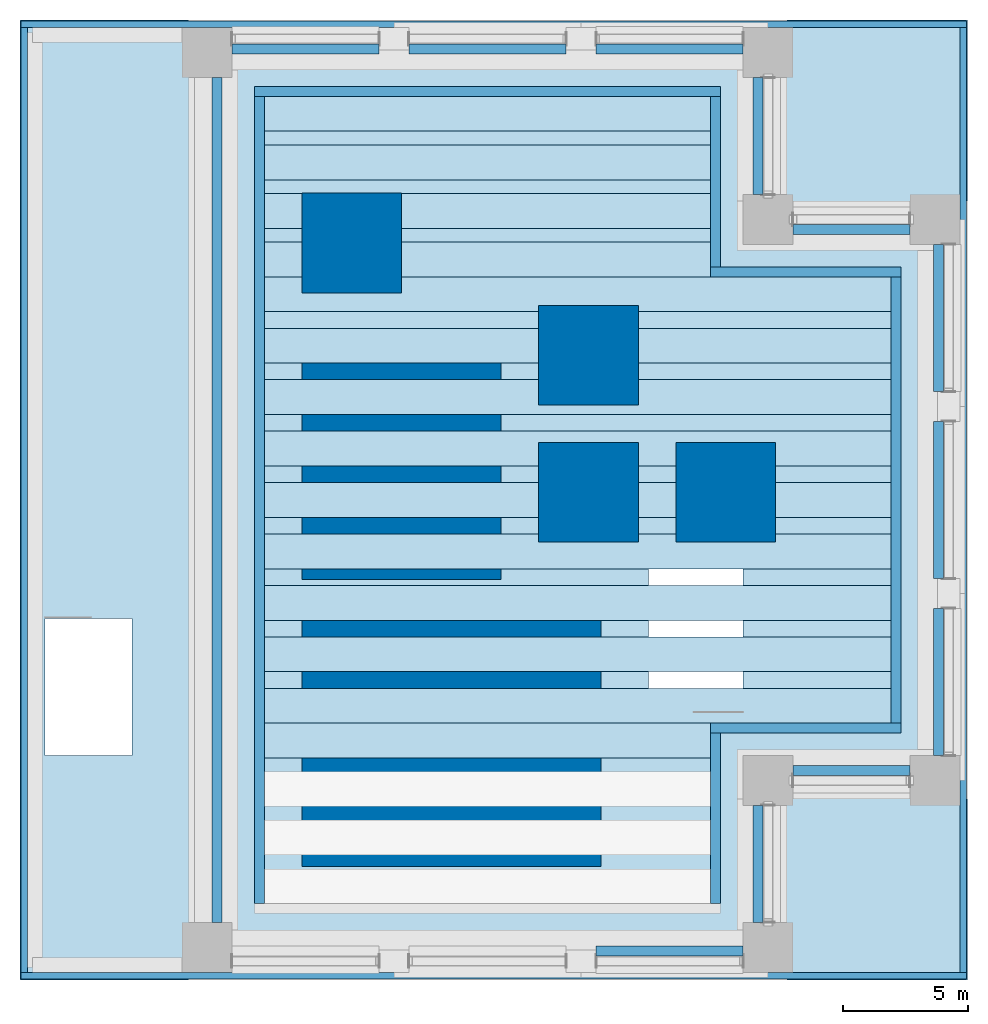
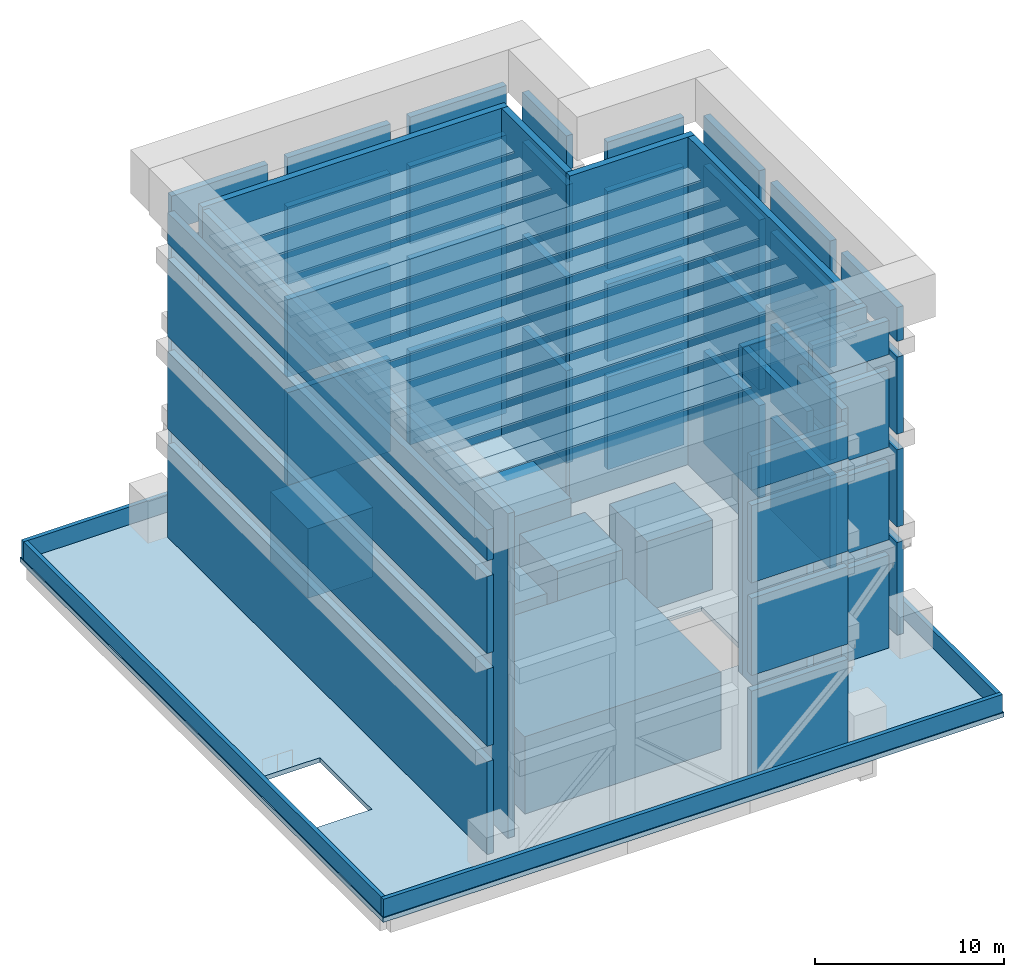
# One storey, part 2 of 4: 69 plates, 10 walls, 1 slab.
"""IFC4 building model written with IfcOpenShell, lengths in metres."""

from ifc_helpers import new_model, si_unit, direction, frame, frame_2d, origin, origin_2d, place, context, subcontext, project, spatial, polyline, rectangle, outline, extrude, material, layer, layer_set, type_object, element, save


model = new_model("IFC4")

# Units and contexts
model_context = context("Model", 3, precision=1e-05, world=origin(), true_north=direction((0.0, 1.0)))
body_context = subcontext(model_context, "Body", "Model", "MODEL_VIEW")
ifc_project = project(units=[si_unit("LENGTHUNIT", "METRE"), si_unit("AREAUNIT", "SQUARE_METRE"), si_unit("VOLUMEUNIT", "CUBIC_METRE"), si_unit("PLANEANGLEUNIT", "RADIAN"), si_unit("MASSUNIT", "GRAM", prefix="KILO")], contexts=[model_context])

# Site, building, storey
site_placement = place(None, origin())
site = spatial("IfcSite", under=ifc_project, at=site_placement, CompositionType="ELEMENT")
building_placement = place(site_placement, origin())
building = spatial("IfcBuilding", under=site, at=building_placement, Name="Tamorin Gate", CompositionType="ELEMENT")
storey_placement = place(building_placement, frame((0.0, 0.0, 328.199951171875)))
storey = spatial("IfcBuildingStorey", under=building, at=storey_placement, Name="ROOF", CompositionType="ELEMENT", Elevation=328.199951171875)

# Plates
ifc_material_1 = material(Name="Perforated pale aluminium sheet", Category="aluminium")
ifc_layer_1 = layer(ifc_material_1, 0.1201171875)
ifc_layer_set_1 = layer_set([ifc_layer_1], Name="Crown grille 120")
plate_type_1 = type_object("IfcPlateType", Name="Crown grille 120", PredefinedType="SHEET", material=ifc_layer_set_1)
plate_1_placement = place(storey_placement, frame((48.75, 61.60009765625, 19.139892578125), z_axis=(0.0, 0.0, 1.0), x_axis=(1.0, 0.0, 0.0)))
element("IfcPlate", 1, at=plate_1_placement, inside=storey, type_object=plate_type_1, Name="CROWN GRILLE", PredefinedType="SHEET", context=body_context, shape_type="SweptSolid", body=[
    extrude(rectangle(XDim=17.89990234375, YDim=1.39990234375, at=origin_2d()), origin(), (0.0, 0.0, 1.0), 0.1201171875),
])
for number, where, z_axis, x_axis, name in (
    (2, (52.3701171875, 63.0, 19.139892578125), (0.0, 0.0, 1.0), (1.0, 0.0, 0.0), "CROWN GRILLE"),
    (3, (52.3701171875, 65.0625, 19.139892578125), (0.0, 0.0, 1.0), (1.0, 0.0, 0.0), "CROWN GRILLE"),
    (4, (52.3701171875, 67.125, 19.139892578125), (0.0, 0.0, 1.0), (1.0, 0.0, 0.0), "CROWN GRILLE"),
    (5, (52.3701171875, 69.1875, 19.139892578125), (0.0, 0.0, 1.0), (1.0, 0.0, 0.0), "CROWN GRILLE"),
    (6, (52.3701171875, 71.25, 19.139892578125), (0.0, 0.0, 1.0), (1.0, 0.0, 0.0), "CROWN GRILLE"),
    (7, (52.3701171875, 73.3125, 19.139892578125), (0.0, 0.0, 1.0), (1.0, 0.0, 0.0), "CROWN GRILLE"),
    (8, (52.3701171875, 75.375, 19.139892578125), (0.0, 0.0, 1.0), (1.0, 0.0, 0.0), "CROWN GRILLE"),
    (9, (52.3701171875, 77.4375, 19.139892578125), (0.0, 0.0, 1.0), (1.0, 0.0, 0.0), "CROWN GRILLE"),
    (10, (52.3701171875, 79.5, 19.139892578125), (0.0, 0.0, 1.0), (1.0, 0.0, 0.0), "CROWN GRILLE"),
):
    element("IfcPlate", number, at=place(storey_placement, frame(where, z_axis=z_axis, x_axis=x_axis)), inside=storey, type_object=plate_type_1, Name=name, PredefinedType="SHEET", context=body_context, shape_type="SweptSolid", body=[
        extrude(rectangle(XDim=25.139892578125, YDim=1.39990234375, at=origin_2d()), origin(), (0.0, 0.0, 1.0), 0.1201171875),
    ])
for number, where, z_axis, x_axis, name in (
    (11, (48.75, 80.89990234375, 19.139892578125), (0.0, 0.0, 1.0), (1.0, 0.0, 0.0), "CROWN GRILLE"),
    (12, (48.75, 82.8466796875, 19.139892578125), (0.0, 0.0, 1.0), (1.0, 0.0, 0.0), "CROWN GRILLE"),
    (13, (48.75, 84.793212890625, 19.139892578125), (0.0, 0.0, 1.0), (1.0, 0.0, 0.0), "CROWN GRILLE"),
    (14, (48.75, 86.739990234375, 19.139892578125), (0.0, 0.0, 1.0), (1.0, 0.0, 0.0), "CROWN GRILLE"),
):
    element("IfcPlate", number, at=place(storey_placement, frame(where, z_axis=z_axis, x_axis=x_axis)), inside=storey, type_object=plate_type_1, Name=name, PredefinedType="SHEET", context=body_context, shape_type="SweptSolid", body=[
        extrude(rectangle(XDim=17.89990234375, YDim=1.39990234375, at=origin_2d()), origin(), (0.0, 0.0, 1.0), 0.1201171875),
    ])
ifc_layer_2 = layer(ifc_material_1, 0.39990234375)
ifc_layer_set_2 = layer_set([ifc_layer_2], Name="Crown louvre 400")
plate_type_2 = type_object("IfcPlateType", Name="Crown louvre 400", PredefinedType="SHEET", material=ifc_layer_set_2)
plate_2_placement = place(storey_placement, frame((56.050048828125, 53.159912109375, 0.0), z_axis=(0.0, 0.0, 1.0), x_axis=(1.0, 0.0, 0.0)))
element("IfcPlate", 15, at=plate_2_placement, inside=storey, type_object=plate_type_2, Name="Crown LOUVRE", PredefinedType="SHEET", context=body_context, shape_type="SweptSolid", body=[
    extrude(rectangle(XDim=5.89990234375, YDim=0.39990234375, at=origin_2d()), origin(), (0.0, 0.0, 1.0), 6.0),
])
for number, where, z_axis, x_axis, name in (
    (16, (56.050048828125, 53.159912109375, 7.0), (0.0, 0.0, 1.0), (1.0, 0.0, 0.0), "Crown LOUVRE"),
    (17, (56.050048828125, 53.159912109375, 13.0), (0.0, 0.0, 1.0), (1.0, 0.0, 0.0), "Crown LOUVRE"),
):
    element("IfcPlate", number, at=place(storey_placement, frame(where, z_axis=z_axis, x_axis=x_axis)), inside=storey, type_object=plate_type_2, Name=name, PredefinedType="SHEET", context=body_context, shape_type="SweptSolid", body=[
        extrude(rectangle(XDim=5.89990234375, YDim=0.39990234375, at=origin_2d()), origin(), (0.0, 0.0, 1.0), 5.0),
    ])
plate_3_placement = place(storey_placement, frame((56.050048828125, 53.159912109375, 19.0), z_axis=(0.0, 0.0, 1.0), x_axis=(1.0, 0.0, 0.0)))
element("IfcPlate", 18, at=plate_3_placement, inside=storey, type_object=plate_type_2, Name="Crown LOUVRE", PredefinedType="SHEET", context=body_context, shape_type="SweptSolid", body=[
    extrude(rectangle(XDim=5.89990234375, YDim=0.39990234375, at=origin_2d()), origin(), (0.0, 0.0, 1.0), 2.199951171875),
])
plate_4_placement = place(storey_placement, frame((59.60009765625, 56.655029296875, 0.0), z_axis=(0.0, 0.0, 1.0), x_axis=(0.0, 1.0, 0.0)))
element("IfcPlate", 19, at=plate_4_placement, inside=storey, type_object=plate_type_2, Name="Crown LOUVRE", PredefinedType="SHEET", context=body_context, shape_type="SweptSolid", body=[
    extrude(rectangle(XDim=4.68994140625, YDim=0.39990234375, at=origin_2d()), origin(), (0.0, 0.0, 1.0), 6.0),
])
for number, where, z_axis, x_axis, name in (
    (20, (59.60009765625, 56.655029296875, 7.0), (0.0, 0.0, 1.0), (0.0, 1.0, 0.0), "Crown LOUVRE"),
    (21, (59.60009765625, 56.655029296875, 13.0), (0.0, 0.0, 1.0), (0.0, 1.0, 0.0), "Crown LOUVRE"),
):
    element("IfcPlate", number, at=place(storey_placement, frame(where, z_axis=z_axis, x_axis=x_axis)), inside=storey, type_object=plate_type_2, Name=name, PredefinedType="SHEET", context=body_context, shape_type="SweptSolid", body=[
        extrude(rectangle(XDim=4.68994140625, YDim=0.39990234375, at=origin_2d()), origin(), (0.0, 0.0, 1.0), 5.0),
    ])
plate_5_placement = place(storey_placement, frame((59.60009765625, 56.655029296875, 19.0), z_axis=(0.0, 0.0, 1.0), x_axis=(0.0, 1.0, 0.0)))
element("IfcPlate", 22, at=plate_5_placement, inside=storey, type_object=plate_type_2, Name="Crown LOUVRE", PredefinedType="SHEET", context=body_context, shape_type="SweptSolid", body=[
    extrude(rectangle(XDim=4.68994140625, YDim=0.39990234375, at=origin_2d()), origin(), (0.0, 0.0, 1.0), 2.199951171875),
])
plate_6_placement = place(storey_placement, frame((63.344970703125, 60.39990234375, 0.0), z_axis=(0.0, 0.0, 1.0), x_axis=(1.0, 0.0, 0.0)))
element("IfcPlate", 23, at=plate_6_placement, inside=storey, type_object=plate_type_2, Name="Crown LOUVRE", PredefinedType="SHEET", context=body_context, shape_type="SweptSolid", body=[
    extrude(rectangle(XDim=4.68994140625, YDim=0.39990234375, at=origin_2d()), origin(), (0.0, 0.0, 1.0), 6.0),
])
for number, where, z_axis, x_axis, name in (
    (24, (63.344970703125, 60.39990234375, 7.0), (0.0, 0.0, 1.0), (1.0, 0.0, 0.0), "Crown LOUVRE"),
    (25, (63.344970703125, 60.39990234375, 13.0), (0.0, 0.0, 1.0), (1.0, 0.0, 0.0), "Crown LOUVRE"),
):
    element("IfcPlate", number, at=place(storey_placement, frame(where, z_axis=z_axis, x_axis=x_axis)), inside=storey, type_object=plate_type_2, Name=name, PredefinedType="SHEET", context=body_context, shape_type="SweptSolid", body=[
        extrude(rectangle(XDim=4.68994140625, YDim=0.39990234375, at=origin_2d()), origin(), (0.0, 0.0, 1.0), 5.0),
    ])
plate_7_placement = place(storey_placement, frame((63.344970703125, 60.39990234375, 19.0), z_axis=(0.0, 0.0, 1.0), x_axis=(1.0, 0.0, 0.0)))
element("IfcPlate", 26, at=plate_7_placement, inside=storey, type_object=plate_type_2, Name="Crown LOUVRE", PredefinedType="SHEET", context=body_context, shape_type="SweptSolid", body=[
    extrude(rectangle(XDim=4.68994140625, YDim=0.39990234375, at=origin_2d()), origin(), (0.0, 0.0, 1.0), 2.199951171875),
])
plate_8_placement = place(storey_placement, frame((66.840087890625, 63.949951171875, 0.0), z_axis=(0.0, 0.0, 1.0), x_axis=(0.0, 1.0, 0.0)))
element("IfcPlate", 27, at=plate_8_placement, inside=storey, type_object=plate_type_2, Name="Crown LOUVRE", PredefinedType="SHEET", context=body_context, shape_type="SweptSolid", body=[
    extrude(rectangle(XDim=5.89990234375, YDim=0.39990234375, at=origin_2d()), origin(), (0.0, 0.0, 1.0), 6.0),
])
for number, where, z_axis, x_axis, name in (
    (28, (66.840087890625, 63.949951171875, 7.0), (0.0, 0.0, 1.0), (0.0, 1.0, 0.0), "Crown LOUVRE"),
    (29, (66.840087890625, 63.949951171875, 13.0), (0.0, 0.0, 1.0), (0.0, 1.0, 0.0), "Crown LOUVRE"),
):
    element("IfcPlate", number, at=place(storey_placement, frame(where, z_axis=z_axis, x_axis=x_axis)), inside=storey, type_object=plate_type_2, Name=name, PredefinedType="SHEET", context=body_context, shape_type="SweptSolid", body=[
        extrude(rectangle(XDim=5.89990234375, YDim=0.39990234375, at=origin_2d()), origin(), (0.0, 0.0, 1.0), 5.0),
    ])
plate_9_placement = place(storey_placement, frame((66.840087890625, 63.949951171875, 19.0), z_axis=(0.0, 0.0, 1.0), x_axis=(0.0, 1.0, 0.0)))
element("IfcPlate", 30, at=plate_9_placement, inside=storey, type_object=plate_type_2, Name="Crown LOUVRE", PredefinedType="SHEET", context=body_context, shape_type="SweptSolid", body=[
    extrude(rectangle(XDim=5.89990234375, YDim=0.39990234375, at=origin_2d()), origin(), (0.0, 0.0, 1.0), 2.199951171875),
])
plate_10_placement = place(storey_placement, frame((66.840087890625, 71.25, 0.0), z_axis=(0.0, 0.0, 1.0), x_axis=(0.0, 1.0, 0.0)))
element("IfcPlate", 31, at=plate_10_placement, inside=storey, type_object=plate_type_2, Name="Crown LOUVRE", PredefinedType="SHEET", context=body_context, shape_type="SweptSolid", body=[
    extrude(rectangle(XDim=6.300048828125, YDim=0.39990234375, at=origin_2d()), origin(), (0.0, 0.0, 1.0), 6.0),
])
for number, where, z_axis, x_axis, name in (
    (32, (66.840087890625, 71.25, 7.0), (0.0, 0.0, 1.0), (0.0, 1.0, 0.0), "Crown LOUVRE"),
    (33, (66.840087890625, 71.25, 13.0), (0.0, 0.0, 1.0), (0.0, 1.0, 0.0), "Crown LOUVRE"),
):
    element("IfcPlate", number, at=place(storey_placement, frame(where, z_axis=z_axis, x_axis=x_axis)), inside=storey, type_object=plate_type_2, Name=name, PredefinedType="SHEET", context=body_context, shape_type="SweptSolid", body=[
        extrude(rectangle(XDim=6.300048828125, YDim=0.39990234375, at=origin_2d()), origin(), (0.0, 0.0, 1.0), 5.0),
    ])
plate_11_placement = place(storey_placement, frame((66.840087890625, 71.25, 19.0), z_axis=(0.0, 0.0, 1.0), x_axis=(0.0, 1.0, 0.0)))
element("IfcPlate", 34, at=plate_11_placement, inside=storey, type_object=plate_type_2, Name="Crown LOUVRE", PredefinedType="SHEET", context=body_context, shape_type="SweptSolid", body=[
    extrude(rectangle(XDim=6.300048828125, YDim=0.39990234375, at=origin_2d()), origin(), (0.0, 0.0, 1.0), 2.199951171875),
])
plate_12_placement = place(storey_placement, frame((66.840087890625, 78.550048828125, 0.0), z_axis=(0.0, 0.0, 1.0), x_axis=(0.0, 1.0, 0.0)))
element("IfcPlate", 35, at=plate_12_placement, inside=storey, type_object=plate_type_2, Name="Crown LOUVRE", PredefinedType="SHEET", context=body_context, shape_type="SweptSolid", body=[
    extrude(rectangle(XDim=5.89990234375, YDim=0.39990234375, at=origin_2d()), origin(), (0.0, 0.0, 1.0), 6.0),
])
for number, where, z_axis, x_axis, name in (
    (36, (66.840087890625, 78.550048828125, 7.0), (0.0, 0.0, 1.0), (0.0, 1.0, 0.0), "Crown LOUVRE"),
    (37, (66.840087890625, 78.550048828125, 13.0), (0.0, 0.0, 1.0), (0.0, 1.0, 0.0), "Crown LOUVRE"),
):
    element("IfcPlate", number, at=place(storey_placement, frame(where, z_axis=z_axis, x_axis=x_axis)), inside=storey, type_object=plate_type_2, Name=name, PredefinedType="SHEET", context=body_context, shape_type="SweptSolid", body=[
        extrude(rectangle(XDim=5.89990234375, YDim=0.39990234375, at=origin_2d()), origin(), (0.0, 0.0, 1.0), 5.0),
    ])
plate_13_placement = place(storey_placement, frame((66.840087890625, 78.550048828125, 19.0), z_axis=(0.0, 0.0, 1.0), x_axis=(0.0, 1.0, 0.0)))
element("IfcPlate", 38, at=plate_13_placement, inside=storey, type_object=plate_type_2, Name="Crown LOUVRE", PredefinedType="SHEET", context=body_context, shape_type="SweptSolid", body=[
    extrude(rectangle(XDim=5.89990234375, YDim=0.39990234375, at=origin_2d()), origin(), (0.0, 0.0, 1.0), 2.199951171875),
])
plate_14_placement = place(storey_placement, frame((63.344970703125, 82.10009765625, 0.0), z_axis=(0.0, 0.0, 1.0), x_axis=(1.0, 0.0, 0.0)))
element("IfcPlate", 39, at=plate_14_placement, inside=storey, type_object=plate_type_2, Name="Crown LOUVRE", PredefinedType="SHEET", context=body_context, shape_type="SweptSolid", body=[
    extrude(rectangle(XDim=4.68994140625, YDim=0.39990234375, at=origin_2d()), origin(), (0.0, 0.0, 1.0), 6.0),
])
for number, where, z_axis, x_axis, name in (
    (40, (63.344970703125, 82.10009765625, 7.0), (0.0, 0.0, 1.0), (1.0, 0.0, 0.0), "Crown LOUVRE"),
    (41, (63.344970703125, 82.10009765625, 13.0), (0.0, 0.0, 1.0), (1.0, 0.0, 0.0), "Crown LOUVRE"),
):
    element("IfcPlate", number, at=place(storey_placement, frame(where, z_axis=z_axis, x_axis=x_axis)), inside=storey, type_object=plate_type_2, Name=name, PredefinedType="SHEET", context=body_context, shape_type="SweptSolid", body=[
        extrude(rectangle(XDim=4.68994140625, YDim=0.39990234375, at=origin_2d()), origin(), (0.0, 0.0, 1.0), 5.0),
    ])
plate_15_placement = place(storey_placement, frame((63.344970703125, 82.10009765625, 19.0), z_axis=(0.0, 0.0, 1.0), x_axis=(1.0, 0.0, 0.0)))
element("IfcPlate", 42, at=plate_15_placement, inside=storey, type_object=plate_type_2, Name="Crown LOUVRE", PredefinedType="SHEET", context=body_context, shape_type="SweptSolid", body=[
    extrude(rectangle(XDim=4.68994140625, YDim=0.39990234375, at=origin_2d()), origin(), (0.0, 0.0, 1.0), 2.199951171875),
])
plate_16_placement = place(storey_placement, frame((59.60009765625, 85.844970703125, 0.0), z_axis=(0.0, 0.0, 1.0), x_axis=(0.0, 1.0, 0.0)))
element("IfcPlate", 43, at=plate_16_placement, inside=storey, type_object=plate_type_2, Name="Crown LOUVRE", PredefinedType="SHEET", context=body_context, shape_type="SweptSolid", body=[
    extrude(rectangle(XDim=4.68994140625, YDim=0.39990234375, at=origin_2d()), origin(), (0.0, 0.0, 1.0), 6.0),
])
for number, where, z_axis, x_axis, name in (
    (44, (59.60009765625, 85.844970703125, 7.0), (0.0, 0.0, 1.0), (0.0, 1.0, 0.0), "Crown LOUVRE"),
    (45, (59.60009765625, 85.844970703125, 13.0), (0.0, 0.0, 1.0), (0.0, 1.0, 0.0), "Crown LOUVRE"),
):
    element("IfcPlate", number, at=place(storey_placement, frame(where, z_axis=z_axis, x_axis=x_axis)), inside=storey, type_object=plate_type_2, Name=name, PredefinedType="SHEET", context=body_context, shape_type="SweptSolid", body=[
        extrude(rectangle(XDim=4.68994140625, YDim=0.39990234375, at=origin_2d()), origin(), (0.0, 0.0, 1.0), 5.0),
    ])
plate_17_placement = place(storey_placement, frame((59.60009765625, 85.844970703125, 19.0), z_axis=(0.0, 0.0, 1.0), x_axis=(0.0, 1.0, 0.0)))
element("IfcPlate", 46, at=plate_17_placement, inside=storey, type_object=plate_type_2, Name="Crown LOUVRE", PredefinedType="SHEET", context=body_context, shape_type="SweptSolid", body=[
    extrude(rectangle(XDim=4.68994140625, YDim=0.39990234375, at=origin_2d()), origin(), (0.0, 0.0, 1.0), 2.199951171875),
])
plate_18_placement = place(storey_placement, frame((56.050048828125, 89.340087890625, 0.0), z_axis=(0.0, 0.0, 1.0), x_axis=(1.0, 0.0, 0.0)))
element("IfcPlate", 47, at=plate_18_placement, inside=storey, type_object=plate_type_2, Name="Crown LOUVRE", PredefinedType="SHEET", context=body_context, shape_type="SweptSolid", body=[
    extrude(rectangle(XDim=5.89990234375, YDim=0.39990234375, at=origin_2d()), origin(), (0.0, 0.0, 1.0), 6.0),
])
for number, where, z_axis, x_axis, name in (
    (48, (56.050048828125, 89.340087890625, 7.0), (0.0, 0.0, 1.0), (1.0, 0.0, 0.0), "Crown LOUVRE"),
    (49, (56.050048828125, 89.340087890625, 13.0), (0.0, 0.0, 1.0), (1.0, 0.0, 0.0), "Crown LOUVRE"),
):
    element("IfcPlate", number, at=place(storey_placement, frame(where, z_axis=z_axis, x_axis=x_axis)), inside=storey, type_object=plate_type_2, Name=name, PredefinedType="SHEET", context=body_context, shape_type="SweptSolid", body=[
        extrude(rectangle(XDim=5.89990234375, YDim=0.39990234375, at=origin_2d()), origin(), (0.0, 0.0, 1.0), 5.0),
    ])
plate_19_placement = place(storey_placement, frame((56.050048828125, 89.340087890625, 19.0), z_axis=(0.0, 0.0, 1.0), x_axis=(1.0, 0.0, 0.0)))
element("IfcPlate", 50, at=plate_19_placement, inside=storey, type_object=plate_type_2, Name="Crown LOUVRE", PredefinedType="SHEET", context=body_context, shape_type="SweptSolid", body=[
    extrude(rectangle(XDim=5.89990234375, YDim=0.39990234375, at=origin_2d()), origin(), (0.0, 0.0, 1.0), 2.199951171875),
])
plate_20_placement = place(storey_placement, frame((48.75, 89.340087890625, 0.0), z_axis=(0.0, 0.0, 1.0), x_axis=(1.0, 0.0, 0.0)))
element("IfcPlate", 51, at=plate_20_placement, inside=storey, type_object=plate_type_2, Name="Crown LOUVRE", PredefinedType="SHEET", context=body_context, shape_type="SweptSolid", body=[
    extrude(rectangle(XDim=6.300048828125, YDim=0.39990234375, at=origin_2d()), origin(), (0.0, 0.0, 1.0), 6.0),
])
for number, where, z_axis, x_axis, name in (
    (52, (48.75, 89.340087890625, 7.0), (0.0, 0.0, 1.0), (1.0, 0.0, 0.0), "Crown LOUVRE"),
    (53, (48.75, 89.340087890625, 13.0), (0.0, 0.0, 1.0), (1.0, 0.0, 0.0), "Crown LOUVRE"),
):
    element("IfcPlate", number, at=place(storey_placement, frame(where, z_axis=z_axis, x_axis=x_axis)), inside=storey, type_object=plate_type_2, Name=name, PredefinedType="SHEET", context=body_context, shape_type="SweptSolid", body=[
        extrude(rectangle(XDim=6.300048828125, YDim=0.39990234375, at=origin_2d()), origin(), (0.0, 0.0, 1.0), 5.0),
    ])
plate_21_placement = place(storey_placement, frame((48.75, 89.340087890625, 19.0), z_axis=(0.0, 0.0, 1.0), x_axis=(1.0, 0.0, 0.0)))
element("IfcPlate", 54, at=plate_21_placement, inside=storey, type_object=plate_type_2, Name="Crown LOUVRE", PredefinedType="SHEET", context=body_context, shape_type="SweptSolid", body=[
    extrude(rectangle(XDim=6.300048828125, YDim=0.39990234375, at=origin_2d()), origin(), (0.0, 0.0, 1.0), 2.199951171875),
])
plate_22_placement = place(storey_placement, frame((41.449951171875, 89.340087890625, 0.0), z_axis=(0.0, 0.0, 1.0), x_axis=(1.0, 0.0, 0.0)))
element("IfcPlate", 55, at=plate_22_placement, inside=storey, type_object=plate_type_2, Name="Crown LOUVRE", PredefinedType="SHEET", context=body_context, shape_type="SweptSolid", body=[
    extrude(rectangle(XDim=5.89990234375, YDim=0.39990234375, at=origin_2d()), origin(), (0.0, 0.0, 1.0), 6.0),
])
for number, where, z_axis, x_axis, name in (
    (56, (41.449951171875, 89.340087890625, 7.0), (0.0, 0.0, 1.0), (1.0, 0.0, 0.0), "Crown LOUVRE"),
    (57, (41.449951171875, 89.340087890625, 13.0), (0.0, 0.0, 1.0), (1.0, 0.0, 0.0), "Crown LOUVRE"),
):
    element("IfcPlate", number, at=place(storey_placement, frame(where, z_axis=z_axis, x_axis=x_axis)), inside=storey, type_object=plate_type_2, Name=name, PredefinedType="SHEET", context=body_context, shape_type="SweptSolid", body=[
        extrude(rectangle(XDim=5.89990234375, YDim=0.39990234375, at=origin_2d()), origin(), (0.0, 0.0, 1.0), 5.0),
    ])
plate_23_placement = place(storey_placement, frame((41.449951171875, 89.340087890625, 19.0), z_axis=(0.0, 0.0, 1.0), x_axis=(1.0, 0.0, 0.0)))
element("IfcPlate", 58, at=plate_23_placement, inside=storey, type_object=plate_type_2, Name="Crown LOUVRE", PredefinedType="SHEET", context=body_context, shape_type="SweptSolid", body=[
    extrude(rectangle(XDim=5.89990234375, YDim=0.39990234375, at=origin_2d()), origin(), (0.0, 0.0, 1.0), 2.199951171875),
])
plate_24_placement = place(storey_placement, frame((37.89990234375, 71.25, 0.0), z_axis=(0.0, 0.0, 1.0), x_axis=(0.0, 1.0, 0.0)))
element("IfcPlate", 59, at=plate_24_placement, inside=storey, type_object=plate_type_2, Name="Crown LOUVRE", PredefinedType="SHEET", context=body_context, shape_type="SweptSolid", body=[
    extrude(rectangle(XDim=33.8798828125, YDim=0.39990234375, at=origin_2d()), origin(), (0.0, 0.0, 1.0), 6.0),
])
for number, where, z_axis, x_axis, name in (
    (60, (37.89990234375, 71.25, 7.0), (0.0, 0.0, 1.0), (0.0, 1.0, 0.0), "Crown LOUVRE"),
    (61, (37.89990234375, 71.25, 13.0), (0.0, 0.0, 1.0), (0.0, 1.0, 0.0), "Crown LOUVRE"),
):
    element("IfcPlate", number, at=place(storey_placement, frame(where, z_axis=z_axis, x_axis=x_axis)), inside=storey, type_object=plate_type_2, Name=name, PredefinedType="SHEET", context=body_context, shape_type="SweptSolid", body=[
        extrude(rectangle(XDim=33.8798828125, YDim=0.39990234375, at=origin_2d()), origin(), (0.0, 0.0, 1.0), 5.0),
    ])
plate_25_placement = place(storey_placement, frame((37.89990234375, 71.25, 19.0), z_axis=(0.0, 0.0, 1.0), x_axis=(0.0, 1.0, 0.0)))
element("IfcPlate", 62, at=plate_25_placement, inside=storey, type_object=plate_type_2, Name="Crown LOUVRE", PredefinedType="SHEET", context=body_context, shape_type="SweptSolid", body=[
    extrude(rectangle(XDim=33.8798828125, YDim=0.39990234375, at=origin_2d()), origin(), (0.0, 0.0, 1.0), 2.0),
])
plate_26_placement = place(storey_placement, frame((57.89990234375, 58.47998046875, 0.0), z_axis=(0.0, 0.0, 1.0), x_axis=(0.0, 1.0, 0.0)))
element("IfcPlate", 63, at=plate_26_placement, inside=storey, type_object=plate_type_2, Name="Crown LOUVRE", PredefinedType="SHEET", context=body_context, shape_type="SweptSolid", body=[
    extrude(rectangle(XDim=6.840087890625, YDim=0.39990234375, at=origin_2d()), origin(), (0.0, 0.0, 1.0), 21.199951171875),
])
plate_27_placement = place(storey_placement, frame((61.52001953125, 62.10009765625, 0.0), z_axis=(0.0, 0.0, 1.0), x_axis=(1.0, 0.0, 0.0)))
element("IfcPlate", 64, at=plate_27_placement, inside=storey, type_object=plate_type_2, Name="Crown LOUVRE", PredefinedType="SHEET", context=body_context, shape_type="SweptSolid", body=[
    extrude(rectangle(XDim=7.639892578125, YDim=0.39990234375, at=origin_2d()), origin(), (0.0, 0.0, 1.0), 21.199951171875),
])
plate_28_placement = place(storey_placement, frame((65.139892578125, 71.25, 0.0), z_axis=(0.0, 0.0, 1.0), x_axis=(0.0, 1.0, 0.0)))
element("IfcPlate", 65, at=plate_28_placement, inside=storey, type_object=plate_type_2, Name="Crown LOUVRE", PredefinedType="SHEET", context=body_context, shape_type="SweptSolid", body=[
    extrude(rectangle(XDim=17.89990234375, YDim=0.39990234375, at=origin_2d()), origin(), (0.0, 0.0, 1.0), 21.199951171875),
])
plate_29_placement = place(storey_placement, frame((61.52001953125, 80.39990234375, 0.0), z_axis=(0.0, 0.0, 1.0), x_axis=(1.0, 0.0, 0.0)))
element("IfcPlate", 66, at=plate_29_placement, inside=storey, type_object=plate_type_2, Name="Crown LOUVRE", PredefinedType="SHEET", context=body_context, shape_type="SweptSolid", body=[
    extrude(rectangle(XDim=7.639892578125, YDim=0.39990234375, at=origin_2d()), origin(), (0.0, 0.0, 1.0), 21.199951171875),
])
plate_30_placement = place(storey_placement, frame((57.89990234375, 84.02001953125, 0.0), z_axis=(0.0, 0.0, 1.0), x_axis=(0.0, 1.0, 0.0)))
element("IfcPlate", 67, at=plate_30_placement, inside=storey, type_object=plate_type_2, Name="Crown LOUVRE", PredefinedType="SHEET", context=body_context, shape_type="SweptSolid", body=[
    extrude(rectangle(XDim=6.840087890625, YDim=0.39990234375, at=origin_2d()), origin(), (0.0, 0.0, 1.0), 21.199951171875),
])
plate_31_placement = place(storey_placement, frame((48.75, 87.639892578125, 0.0), z_axis=(0.0, 0.0, 1.0), x_axis=(1.0, 0.0, 0.0)))
element("IfcPlate", 68, at=plate_31_placement, inside=storey, type_object=plate_type_2, Name="Crown LOUVRE", PredefinedType="SHEET", context=body_context, shape_type="SweptSolid", body=[
    extrude(rectangle(XDim=18.699951171875, YDim=0.39990234375, at=origin_2d()), origin(), (0.0, 0.0, 1.0), 21.199951171875),
])
plate_32_placement = place(storey_placement, frame((39.60009765625, 71.25, 0.0), z_axis=(0.0, 0.0, 1.0), x_axis=(0.0, 1.0, 0.0)))
element("IfcPlate", 69, at=plate_32_placement, inside=storey, type_object=plate_type_2, Name="Crown LOUVRE", PredefinedType="SHEET", context=body_context, shape_type="SweptSolid", body=[
    extrude(rectangle(XDim=32.3798828125, YDim=0.39990234375, at=origin_2d()), origin(), (0.0, 0.0, 1.0), 21.0),
])

# Slab
ifc_material_2 = material(Name="Concrete C40/50", Category="concrete")
ifc_layer_3 = layer(ifc_material_2, 0.300048828125)
ifc_layer_set_3 = layer_set([ifc_layer_3], Name="Roof slab 300 C40/50")
slab_type = type_object("IfcSlabType", Name="Roof slab 300 C40/50", PredefinedType="ROOF", material=ifc_layer_set_3)
slab_placement = place(storey_placement, frame((0.0, 0.0, -0.300048828125)))
element("IfcSlab", 70, at=slab_placement, inside=storey, type_object=slab_type, Name="Roof ROOF", PredefinedType="ROOF", context=body_context, shape_type="SweptSolid", body=[
    extrude(outline(polyline([(30.0, 52.0), (68.0, 52.0), (68.0, 90.5), (30.0, 90.5), (30.0, 52.0)]), holes=[polyline([(34.5, 61.0), (34.5, 66.5), (31.0, 66.5), (31.0, 61.0), (34.5, 61.0)]), polyline([(59.0, 62.800048828125), (59.0, 68.5), (55.199951171875, 68.5), (55.199951171875, 62.800048828125), (59.0, 62.800048828125)])]), origin(), (0.0, 0.0, 1.0), 0.300048828125),
])

# Walls
ifc_material_3 = material(Name="Concrete C50/60 board-marked", Category="concrete")
ifc_layer_4 = layer(ifc_material_3, 0.25)
ifc_layer_set_4 = layer_set([ifc_layer_4], Name="Crown roof parapet 250")
wall_type_1 = type_object("IfcWallType", Name="Crown roof parapet 250", PredefinedType="PARAPET", material=ifc_layer_set_4)
for number, where, z_axis, x_axis, name in (
    (71, (30.050048828125, 52.175048828125, 0.0), (0.0, 0.0, 1.0), (1.0, 0.0, 0.0), "Roof parapet"),
    (72, (30.050048828125, 90.324951171875, 0.0), (0.0, 0.0, 1.0), (1.0, 0.0, 0.0), "Roof parapet"),
    (73, (30.175048828125, 52.300048828125, 0.0), (0.0, 0.0, 1.0), (0.0, 1.0, 0.0), "Roof parapet"),
    (74, (67.824951171875, 52.300048828125, 0.0), (0.0, 0.0, 1.0), (0.0, 1.0, 0.0), "Roof parapet"),
):
    element("IfcWall", number, at=place(storey_placement, frame(where, z_axis=z_axis, x_axis=x_axis)), inside=storey, type_object=wall_type_1, Name=name, PredefinedType="PARAPET", context=body_context, shape_type="SweptSolid", body=[
        extrude(rectangle(XDim=37.89990234375, YDim=0.25, at=frame_2d((18.949951171875, 0.0))), origin(), (0.0, 0.0, 1.0), 1.150146484375),
    ])
ifc_material_4 = material(Name="Precast concrete C40/50", Category="concrete")
ifc_layer_5 = layer(ifc_material_4, 0.300048828125)
ifc_layer_set_5 = layer_set([ifc_layer_5], Name="Louvred plant enclosure 300")
wall_type_2 = type_object("IfcWallType", Name="Louvred plant enclosure 300", PredefinedType="SOLIDWALL", material=ifc_layer_set_5)
wall_1_placement = place(storey_placement, frame((41.300048828125, 61.56005859375, 0.0), z_axis=(0.0, 0.0, 1.0), x_axis=(1.0, 0.0, 0.0)))
element("IfcWall", 75, at=wall_1_placement, inside=storey, type_object=wall_type_2, Name="Louvred plant enclosure", PredefinedType="SOLIDWALL", context=body_context, shape_type="SweptSolid", body=[
    extrude(rectangle(XDim=12.0, YDim=10.0, at=frame_2d((6.0, 0.0))), origin(), (0.0, 0.0, 1.0), 5.0),
])
wall_2_placement = place(storey_placement, frame((41.300048828125, 73.06005859375, 0.0), z_axis=(0.0, 0.0, 1.0), x_axis=(1.0, 0.0, 0.0)))
element("IfcWall", 76, at=wall_2_placement, inside=storey, type_object=wall_type_2, Name="Louvred plant enclosure", PredefinedType="SOLIDWALL", context=body_context, shape_type="SweptSolid", body=[
    extrude(rectangle(XDim=8.0, YDim=10.0, at=frame_2d((4.0, 0.0))), origin(), (0.0, 0.0, 1.0), 4.5),
])
for number, where, z_axis, x_axis, name in (
    (77, (50.800048828125, 71.56005859375, 0.0), (0.0, 0.0, 1.0), (1.0, 0.0, 0.0), "Cooling tower cell"),
    (78, (56.300048828125, 71.56005859375, 0.0), (0.0, 0.0, 1.0), (1.0, 0.0, 0.0), "Cooling tower cell"),
    (79, (50.800048828125, 77.06005859375, 0.0), (0.0, 0.0, 1.0), (1.0, 0.0, 0.0), "Cooling tower cell"),
    (80, (41.300048828125, 81.56005859375, 0.0), (0.0, 0.0, 1.0), (1.0, 0.0, 0.0), "Cooling tower cell"),
):
    element("IfcWall", number, at=place(storey_placement, frame(where, z_axis=z_axis, x_axis=x_axis)), inside=storey, type_object=wall_type_2, Name=name, PredefinedType="SOLIDWALL", context=body_context, shape_type="SweptSolid", body=[
        extrude(rectangle(XDim=4.0, YDim=4.0, at=frame_2d((2.0, 0.0))), origin(), (0.0, 0.0, 1.0), 4.5),
    ])

save(model, "model.ifc")
